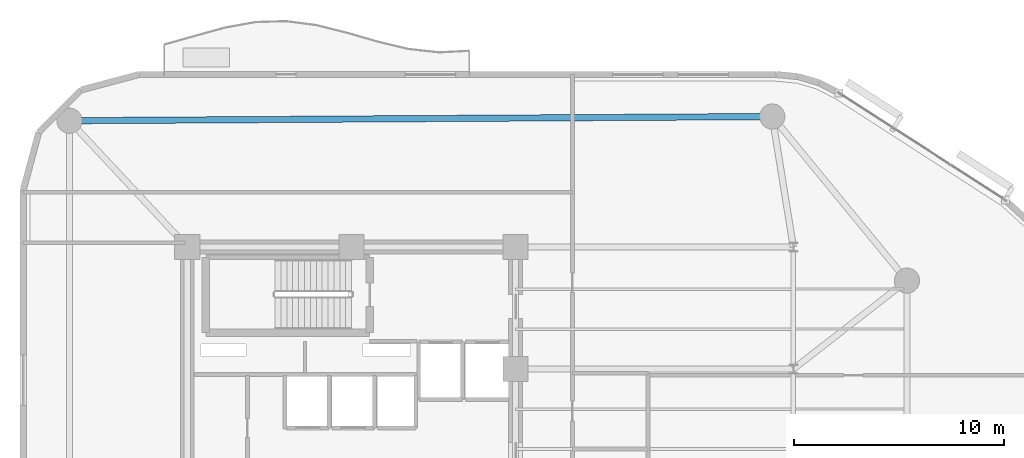
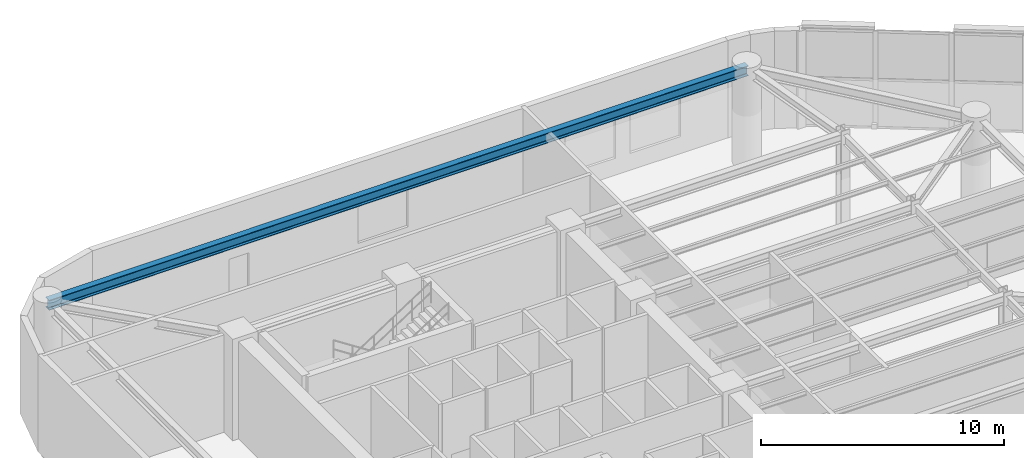
# One storey, part 5 of 12: 1 beam.
"""IFC4 building model written with IfcOpenShell, lengths in metres."""

import ifcopenshell
import ifcopenshell.guid

model = None  # the IFC model being written
_history = None  # IfcOwnerHistory: only IFC2X3 demands one
_inside = {}  # id of a spatial element -> (the spatial element, [elements in it])
_under = {}  # id of a project, library or spatial element -> (it, [spatial elements below it])
_declared = {}  # id of a project -> (the project, [libraries it declares])
_typed = {}  # id of a type object -> (the type object, [elements of that type])
_made_of = {}  # id of a material, layer set ... -> (it, [elements and type objects made of it])


def new_model(schema):
    """Start an empty IFC model of exactly this schema.

    Asked for "IFC4X3", IfcOpenShell would pick the latest addendum, in which some entities
    have other attributes; the version numbers below select the first issue.
    IFC2X3 requires an IfcOwnerHistory on every rooted entity: one is made here for all.
    """
    global model, _history
    if schema == "IFC4X3":
        model = ifcopenshell.file(schema_version=(4, 3, 0, 0))
    else:
        model = ifcopenshell.file(schema=schema)
    _inside.clear()
    _under.clear()
    _declared.clear()
    _typed.clear()
    _made_of.clear()
    _history = None
    if model.schema == "IFC2X3":
        org = make("IfcOrganization", Name="unknown")
        user = make(
            "IfcPersonAndOrganization",
            ThePerson=make("IfcPerson", FamilyName="unknown"),
            TheOrganization=org,
        )
        app = make(
            "IfcApplication",
            ApplicationDeveloper=org,
            Version="unknown",
            ApplicationFullName="unknown",
            ApplicationIdentifier="unknown",
        )
        _history = make(
            "IfcOwnerHistory",
            OwningUser=user,
            OwningApplication=app,
            ChangeAction="ADDED",
            CreationDate=0,
        )
    return model


def make(cls, **values):
    """One entity of the class cls with the attributes given. An attribute that is None is left unset."""
    return model.create_entity(
        cls, **{name: value for name, value in values.items() if value is not None}
    )


def rooted(cls, **values):
    """An entity with a GlobalId (a new one), such as an element, a storey or a relation."""
    return make(cls, GlobalId=ifcopenshell.guid.new(), OwnerHistory=_history, **values)


def si_unit(unit_type, name, prefix=None):
    """IfcSIUnit, for example si_unit("LENGTHUNIT", "METRE", prefix="MILLI")."""
    return make("IfcSIUnit", UnitType=unit_type, Prefix=prefix, Name=name)


def assignment(units):
    """IfcUnitAssignment: the units of a project."""
    return None if units is None else make("IfcUnitAssignment", Units=units)


def point(xyz):
    """IfcCartesianPoint."""
    return None if xyz is None else make("IfcCartesianPoint", Coordinates=xyz)


def direction(xyz):
    """IfcDirection."""
    return None if xyz is None else make("IfcDirection", DirectionRatios=xyz)


def frame(location, z_axis=None, x_axis=None):
    """IfcAxis2Placement3D, a coordinate frame: its origin and axes. An axis left out is left unset."""
    return make(
        "IfcAxis2Placement3D",
        Location=point(location),
        Axis=direction(z_axis),
        RefDirection=direction(x_axis),
    )


def frame_2d(location, x_axis=None):
    """IfcAxis2Placement2D, a coordinate frame in the plane: its origin and x axis."""
    return make(
        "IfcAxis2Placement2D", Location=point(location), RefDirection=direction(x_axis)
    )


def origin():
    """The frame at (0, 0, 0) with its axes left unset."""
    return frame((0.0, 0.0, 0.0))


def origin_2d():
    """The frame at (0, 0) in the plane with its x axis left unset."""
    return frame_2d((0.0, 0.0))


def place(relative_to, where):
    """IfcLocalPlacement: puts the frame where relative to a parent placement (None: the world)."""
    return make(
        "IfcLocalPlacement", PlacementRelTo=relative_to, RelativePlacement=where
    )


def context(
    kind, dimensions, precision=None, world=None, true_north=None, identifier=None
):
    """IfcGeometricRepresentationContext, for example the 3D "Model" context."""
    return make(
        "IfcGeometricRepresentationContext",
        ContextIdentifier=identifier,
        ContextType=kind,
        CoordinateSpaceDimension=dimensions,
        Precision=precision,
        WorldCoordinateSystem=world,
        TrueNorth=true_north,
    )


def subcontext(parent, identifier, kind, view, scale=None):
    """IfcGeometricRepresentationSubContext, for example "Body" below "Model"."""
    return make(
        "IfcGeometricRepresentationSubContext",
        ContextIdentifier=identifier,
        ContextType=kind,
        ParentContext=parent,
        TargetScale=scale,
        TargetView=view,
    )


def project(units=None, contexts=None):
    """IfcProject with its units and contexts."""
    return rooted(
        "IfcProject",
        Name="project",
        RepresentationContexts=contexts,
        UnitsInContext=assignment(units),
    )


def spatial(cls, under=None, at=None, **own):
    """A site, building, storey or space (cls), placed at a placement, below another one or the project."""
    s = rooted(cls, ObjectPlacement=at, **own)
    if under is not None:
        _under.setdefault(under.id(), (under, []))[1].append(s)
    return s


def profile(cls, at=None, kind="AREA", **sizes):
    """A parametric profile (cls). Its sizes go by their IFC names, for example OverallWidth=200.0."""
    return make(cls, ProfileType=kind, Position=at, **sizes)


def i_section(**sizes):
    """IfcIShapeProfileDef."""
    return profile("IfcIShapeProfileDef", **sizes)


def extrude(swept, where, along, depth):
    """IfcExtrudedAreaSolid: the profile swept, set in the frame where, extruded along a direction by depth."""
    return make(
        "IfcExtrudedAreaSolid",
        SweptArea=swept,
        Position=where,
        ExtrudedDirection=direction(along),
        Depth=depth,
    )


def shape(context_of_items, identifier, shape_type, items):
    """IfcShapeRepresentation: the items that make up one representation, for example the "Body"."""
    return make(
        "IfcShapeRepresentation",
        ContextOfItems=context_of_items,
        RepresentationIdentifier=identifier,
        RepresentationType=shape_type,
        Items=items,
    )


def material(Name=None, Category=None):
    """IfcMaterial."""
    return make("IfcMaterial", Name=Name, Category=Category)


def material_profile(
    of_material, cross_section, Name=None, Category=None, Priority=None
):
    """IfcMaterialProfile: a cross section and its material."""
    return make(
        "IfcMaterialProfile",
        Name=Name,
        Material=of_material,
        Profile=cross_section,
        Priority=Priority,
        Category=Category,
    )


def profile_set(profiles, Name=None, composite=None):
    """IfcMaterialProfileSet."""
    return make(
        "IfcMaterialProfileSet",
        Name=Name,
        MaterialProfiles=profiles,
        CompositeProfile=composite,
    )


def made_of(thing, what):
    """Note that an element or type object is made of a material, layer set ...; save() writes the relation."""
    if what is not None:
        _made_of.setdefault(what.id(), (what, []))[1].append(thing)
    return thing


def type_object(cls, material=None, **own):
    """A type object (cls), such as IfcWallType, which elements share."""
    return made_of(rooted(cls, **own), material)


def element(
    cls,
    number,
    at=None,
    inside=None,
    cuts=None,
    type_object=None,
    material=None,
    context=None,
    identifier="Body",
    shape_type=None,
    held_by="IfcProductDefinitionShape",
    body=None,
    shapes=None,
    **own,
):
    """One element of the class cls, such as IfcWall. Its Tag is "e" and its number.

    at: its placement. inside: the storey or other place that contains it. cuts: it is an
    opening in that element (IfcRelVoidsElement). A single representation is given by context,
    identifier, shape_type and body (its items); several are given by shapes. held_by: the class
    of the entity that holds the representations. save() writes the other relations.
    """
    e = rooted(cls, Tag="e%d" % number, ObjectPlacement=at, **own)
    if body is not None:
        shapes = [shape(context, identifier, shape_type, body)]
    if shapes is not None:
        e.Representation = make(held_by, Representations=shapes)
    if inside is not None:
        _inside.setdefault(inside.id(), (inside, []))[1].append(e)
    if cuts is not None:
        rooted(
            "IfcRelVoidsElement", RelatingBuildingElement=cuts, RelatedOpeningElement=e
        )
    if type_object is not None:
        _typed.setdefault(type_object.id(), (type_object, []))[1].append(e)
    return made_of(e, material)


def aggregate(whole, parts):
    """IfcRelAggregates: a whole, such as a stair, and the parts it consists of."""
    return rooted("IfcRelAggregates", RelatingObject=whole, RelatedObjects=parts)


def save(model, path):
    """Write the relations noted so far, then the file.

    IfcRelAggregates (storeys below a building ...), IfcRelContainedInSpatialStructure (elements
    in a storey), IfcRelDefinesByType, IfcRelAssociatesMaterial and IfcRelDeclares: one each for
    every whole, place, type object, material and project.
    """
    for whole, parts in _under.values():
        aggregate(whole, parts)
    for where, things in _inside.values():
        rooted(
            "IfcRelContainedInSpatialStructure",
            RelatedElements=things,
            RelatingStructure=where,
        )
    for kind, things in _typed.values():
        rooted("IfcRelDefinesByType", RelatedObjects=things, RelatingType=kind)
    for what, things in _made_of.values():
        rooted("IfcRelAssociatesMaterial", RelatedObjects=things, RelatingMaterial=what)
    for by, libraries in _declared.values():
        rooted("IfcRelDeclares", RelatingContext=by, RelatedDefinitions=libraries)
    model.write(path)


model = new_model("IFC4")

# Units and contexts
model_context = context("Model", 3, precision=1e-05, world=origin(), true_north=direction((0.0, 1.0)))
body_context = subcontext(model_context, "Body", "Model", "MODEL_VIEW")
ifc_project = project(units=[si_unit("LENGTHUNIT", "METRE"), si_unit("AREAUNIT", "SQUARE_METRE"), si_unit("VOLUMEUNIT", "CUBIC_METRE"), si_unit("PLANEANGLEUNIT", "RADIAN"), si_unit("MASSUNIT", "GRAM", prefix="KILO")], contexts=[model_context])

# Site, building, storey
site_placement = place(None, origin())
site = spatial("IfcSite", under=ifc_project, at=site_placement, CompositionType="ELEMENT")
building_placement = place(site_placement, origin())
building = spatial("IfcBuilding", under=site, at=building_placement, Name="An Khanh Terracotta Commons", CompositionType="ELEMENT")
storey_placement = place(building_placement, frame((0.0, 0.0, 138.699951171875)))
storey = spatial("IfcBuildingStorey", under=building, at=storey_placement, Name="L36", CompositionType="ELEMENT", Elevation=138.699951171875)

# Beam
ifc_material = material(Name="Steel S355J2", Category="steel")
ifc_material_profile = material_profile(ifc_material, i_section(OverallWidth=0.300048828125, OverallDepth=0.5, WebThickness=0.014404296875, FlangeThickness=0.028076171875, FilletRadius=0.027099609375, at=origin_2d()), Name="HEB500")
ifc_profile_set = profile_set([ifc_material_profile], Name="Steel S355J2")
beam_type = type_object("IfcBeamType", Name="BM-HEB500", PredefinedType="BEAM", material=ifc_profile_set)
beam_placement = place(storey_placement, frame((49.39990234375, 39.800048828125, 4.650146484375), z_axis=(-0.999982080914, -0.005986472262, 0.0), x_axis=(0.005986472262, -0.999982080914, 0.0)))
element("IfcBeam", 1, at=beam_placement, inside=storey, type_object=beam_type, Name="L36 Perimeter Ring Spandrel 5", PredefinedType="BEAM", context=body_context, shape_type="SweptSolid", body=[
    extrude(i_section(OverallWidth=0.300048828125, OverallDepth=0.5, WebThickness=0.014404296875, FlangeThickness=0.028076171875, FilletRadius=0.027099609375, at=origin_2d()), origin(), (0.0, 0.0, 1.0), 33.400390625),
])

save(model, "model.ifc")
